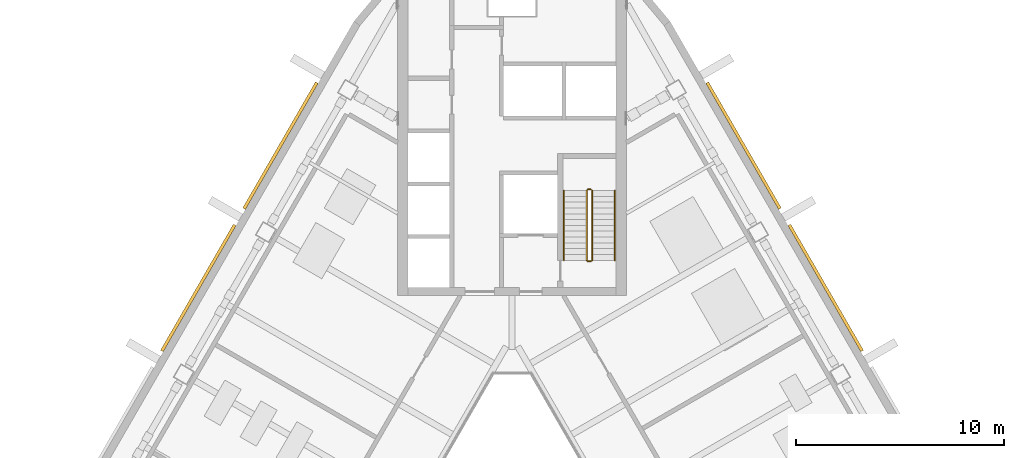
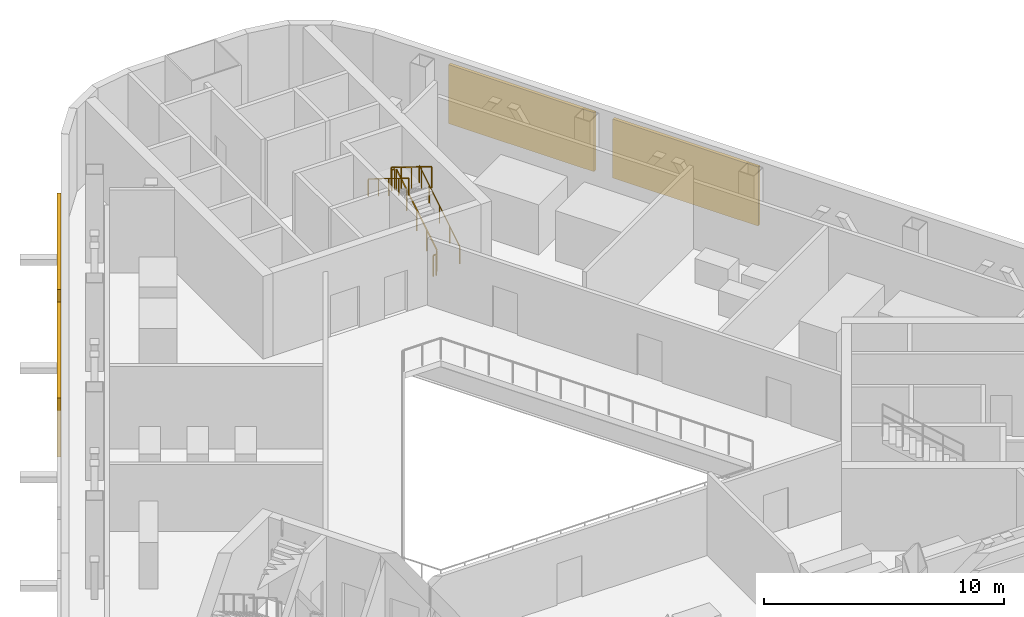
# One storey, part 14 of 15: 6 railings, 4 shading devices.
"""IFC4 building model written with IfcOpenShell, lengths in metres."""

from ifc_helpers import new_model, si_unit, direction, frame, origin, origin_2d, place, context, subcontext, project, spatial, rectangle, circle, extrude, material, type_object, element, save


model = new_model("IFC4")

# Units and contexts
model_context = context("Model", 3, precision=1e-05, world=origin(), true_north=direction((0.0, 1.0)))
body_context = subcontext(model_context, "Body", "Model", "MODEL_VIEW")
ifc_project = project(units=[si_unit("LENGTHUNIT", "METRE"), si_unit("AREAUNIT", "SQUARE_METRE"), si_unit("VOLUMEUNIT", "CUBIC_METRE"), si_unit("PLANEANGLEUNIT", "RADIAN"), si_unit("MASSUNIT", "GRAM", prefix="KILO")], contexts=[model_context])

# Site, building, storey
site_placement = place(None, origin())
site = spatial("IfcSite", under=ifc_project, at=site_placement, CompositionType="ELEMENT")
building_placement = place(site_placement, origin())
building = spatial("IfcBuilding", under=site, at=building_placement, Name="Apuvela Tower Hotel", CompositionType="ELEMENT")
storey_placement = place(building_placement, frame((0.0, 0.0, 237.699951171875)))
storey = spatial("IfcBuildingStorey", under=building, at=storey_placement, Name="L58 Plant", CompositionType="ELEMENT", Elevation=237.699951171875)

# Railings
ifc_material_1 = material(Name="Steel S275 balustrade", Category="steel")
railing_type_1 = type_object("IfcRailingType", Name="COR-GUARD-1100", PredefinedType="GUARDRAIL", material=ifc_material_1)
railing_1_placement = place(storey_placement, frame((3.85009765625, 14.60009765625, 0.173095703125)))
element("IfcRailing", 1, at=railing_1_placement, inside=storey, type_object=railing_type_1, Name="L58 Plant ST1 stair guard 1", PredefinedType="GUARDRAIL", context=body_context, shape_type="SweptSolid", body=[
    extrude(rectangle(XDim=0.048095703125, YDim=0.048095703125, at=origin_2d()), frame((0.0, 0.0, 1.076171875), z_axis=(0.0, 0.850606129759, 0.525803396734), x_axis=(-1.0, 0.0, 0.0)), (0.0, 0.0, 1.0), 3.949951171875),
    extrude(rectangle(XDim=0.0419921875, YDim=0.0419921875, at=origin_2d()), origin(), (0.0, 0.0, 1.0), 1.052001953125),
    extrude(rectangle(XDim=0.0419921875, YDim=0.0419921875, at=origin_2d()), frame((0.0, 0.83984375, 0.519287109375)), (0.0, 0.0, 1.0), 1.052001953125),
    extrude(rectangle(XDim=0.0419921875, YDim=0.0419921875, at=origin_2d()), frame((0.0, 1.679931640625, 1.03857421875)), (0.0, 0.0, 1.0), 1.052001953125),
    extrude(rectangle(XDim=0.0419921875, YDim=0.0419921875, at=origin_2d()), frame((0.0, 2.52001953125, 1.5576171875)), (0.0, 0.0, 1.0), 1.052001953125),
    extrude(rectangle(XDim=0.0419921875, YDim=0.0419921875, at=origin_2d()), frame((0.0, 3.35986328125, 2.076904296875)), (0.0, 0.0, 1.0), 1.052001953125),
])
railing_2_placement = place(storey_placement, frame((3.800048828125, 18.010009765625, 2.25)))
element("IfcRailing", 2, at=railing_2_placement, inside=storey, type_object=railing_type_1, Name="L58 Plant ST1 stair guard 2", PredefinedType="GUARDRAIL", context=body_context, shape_type="SweptSolid", body=[
    extrude(rectangle(XDim=0.048095703125, YDim=0.048095703125, at=origin_2d()), frame((0.0, 0.0, 1.076171875), z_axis=(-1.0, 0.0, 0.0), x_axis=(0.0, -1.0, 0.0)), (0.0, 0.0, 1.0), 0.150146484375),
    extrude(rectangle(XDim=0.0419921875, YDim=0.0419921875, at=origin_2d()), origin(), (0.0, 0.0, 1.0), 1.052001953125),
    extrude(rectangle(XDim=0.0419921875, YDim=0.0419921875, at=origin_2d()), frame((-0.150146484375, 0.0, 0.0)), (0.0, 0.0, 1.0), 1.052001953125),
])
railing_3_placement = place(storey_placement, frame((3.60009765625, 17.9599609375, 2.423095703125)))
element("IfcRailing", 3, at=railing_3_placement, inside=storey, type_object=railing_type_1, Name="L58 Plant ST1 stair guard 3", PredefinedType="GUARDRAIL", context=body_context, shape_type="SweptSolid", body=[
    extrude(rectangle(XDim=0.048095703125, YDim=0.048095703125, at=origin_2d()), frame((0.0, 0.0, 1.076171875), z_axis=(0.0, -0.850606129759, 0.525803396734), x_axis=(1.0, 0.0, 0.0)), (0.0, 0.0, 1.0), 3.949951171875),
    extrude(rectangle(XDim=0.0419921875, YDim=0.0419921875, at=origin_2d()), origin(), (0.0, 0.0, 1.0), 1.052001953125),
    extrude(rectangle(XDim=0.0419921875, YDim=0.0419921875, at=origin_2d()), frame((0.0, -0.83984375, 0.519287109375)), (0.0, 0.0, 1.0), 1.052001953125),
    extrude(rectangle(XDim=0.0419921875, YDim=0.0419921875, at=origin_2d()), frame((0.0, -1.679931640625, 1.03857421875)), (0.0, 0.0, 1.0), 1.052001953125),
    extrude(rectangle(XDim=0.0419921875, YDim=0.0419921875, at=origin_2d()), frame((0.0, -2.52001953125, 1.5576171875)), (0.0, 0.0, 1.0), 1.052001953125),
    extrude(rectangle(XDim=0.0419921875, YDim=0.0419921875, at=origin_2d()), frame((0.0, -3.35986328125, 2.076904296875)), (0.0, 0.0, 1.0), 1.052001953125),
])
railing_4_placement = place(storey_placement, frame((3.800048828125, 14.550048828125, 0.0)))
element("IfcRailing", 4, at=railing_4_placement, inside=storey, type_object=railing_type_1, Name="L58 Plant ST1 stair guard 4", PredefinedType="GUARDRAIL", context=body_context, shape_type="SweptSolid", body=[
    extrude(rectangle(XDim=0.048095703125, YDim=0.048095703125, at=origin_2d()), frame((0.0, 0.0, 1.076171875), z_axis=(-1.0, 0.0, 0.0), x_axis=(0.0, -1.0, 0.0)), (0.0, 0.0, 1.0), 0.150146484375),
    extrude(rectangle(XDim=0.0419921875, YDim=0.0419921875, at=origin_2d()), origin(), (0.0, 0.0, 1.0), 1.052001953125),
    extrude(rectangle(XDim=0.0419921875, YDim=0.0419921875, at=origin_2d()), frame((-0.150146484375, 0.0, 0.0)), (0.0, 0.0, 1.0), 1.052001953125),
])
ifc_material_2 = material(Name="Stainless steel 316 handrail", Category="steel")
railing_type_2 = type_object("IfcRailingType", Name="COR-HANDRAIL-900", PredefinedType="HANDRAIL", material=ifc_material_2)
railing_5_placement = place(storey_placement, frame((4.949951171875, 14.60009765625, 0.173095703125)))
element("IfcRailing", 5, at=railing_5_placement, inside=storey, type_object=railing_type_2, Name="L58 Plant ST1 stair handrail 1", PredefinedType="HANDRAIL", context=body_context, shape_type="SweptSolid", body=[
    extrude(circle(Radius=0.02392578125, at=origin_2d()), frame((0.0, 0.0, 0.8759765625), z_axis=(0.0, 0.850606129759, 0.525803396734), x_axis=(-1.0, 0.0, 0.0)), (0.0, 0.0, 1.0), 3.949951171875),
    extrude(rectangle(XDim=0.0419921875, YDim=0.0419921875, at=origin_2d()), origin(), (0.0, 0.0, 1.0), 0.851806640625),
    extrude(rectangle(XDim=0.0419921875, YDim=0.0419921875, at=origin_2d()), frame((0.0, 0.83984375, 0.519287109375)), (0.0, 0.0, 1.0), 0.851806640625),
    extrude(rectangle(XDim=0.0419921875, YDim=0.0419921875, at=origin_2d()), frame((0.0, 1.679931640625, 1.03857421875)), (0.0, 0.0, 1.0), 0.851806640625),
    extrude(rectangle(XDim=0.0419921875, YDim=0.0419921875, at=origin_2d()), frame((0.0, 2.52001953125, 1.5576171875)), (0.0, 0.0, 1.0), 0.851806640625),
    extrude(rectangle(XDim=0.0419921875, YDim=0.0419921875, at=origin_2d()), frame((0.0, 3.35986328125, 2.076904296875)), (0.0, 0.0, 1.0), 0.851806640625),
])
railing_6_placement = place(storey_placement, frame((2.5, 17.9599609375, 2.423095703125)))
element("IfcRailing", 6, at=railing_6_placement, inside=storey, type_object=railing_type_2, Name="L58 Plant ST1 stair handrail 2", PredefinedType="HANDRAIL", context=body_context, shape_type="SweptSolid", body=[
    extrude(circle(Radius=0.02392578125, at=origin_2d()), frame((0.0, 0.0, 0.8759765625), z_axis=(0.0, -0.850606129759, 0.525803396734), x_axis=(1.0, 0.0, 0.0)), (0.0, 0.0, 1.0), 3.949951171875),
    extrude(rectangle(XDim=0.0419921875, YDim=0.0419921875, at=origin_2d()), origin(), (0.0, 0.0, 1.0), 0.851806640625),
    extrude(rectangle(XDim=0.0419921875, YDim=0.0419921875, at=origin_2d()), frame((0.0, -0.83984375, 0.519287109375)), (0.0, 0.0, 1.0), 0.851806640625),
    extrude(rectangle(XDim=0.0419921875, YDim=0.0419921875, at=origin_2d()), frame((0.0, -1.679931640625, 1.03857421875)), (0.0, 0.0, 1.0), 0.851806640625),
    extrude(rectangle(XDim=0.0419921875, YDim=0.0419921875, at=origin_2d()), frame((0.0, -2.52001953125, 1.5576171875)), (0.0, 0.0, 1.0), 0.851806640625),
    extrude(rectangle(XDim=0.0419921875, YDim=0.0419921875, at=origin_2d()), frame((0.0, -3.35986328125, 2.076904296875)), (0.0, 0.0, 1.0), 0.851806640625),
])

# Shading devices
ifc_material_3 = material(Name="Aluminium 6063-T6, black anodised louvre blades", Category="aluminium")
shading_device_type = type_object("IfcShadingDeviceType", Name="ENV-LOUVRE-SCREEN", PredefinedType="USERDEFINED", material=ifc_material_3)
for number, where, z_axis, x_axis, name in (
    (7, (15.090087890625, 13.273193359375, 0.60009765625), (0.0, 0.0, 1.0), (-0.5, 0.866025403784, 0.0), "Plant louvre NE7"),
    (8, (11.14013671875, 20.114990234375, 0.60009765625), (0.0, 0.0, 1.0), (-0.5, 0.866025403784, 0.0), "Plant louvre NE8"),
    (9, (-11.139892578125, 20.114990234375, 0.60009765625), (0.0, 0.0, 1.0), (-0.5, -0.866025403784, 0.0), "Plant louvre NW9"),
    (10, (-15.090087890625, 13.273193359375, 0.60009765625), (0.0, 0.0, 1.0), (-0.5, -0.866025403784, 0.0), "Plant louvre NW10"),
):
    element("IfcShadingDevice", number, at=place(storey_placement, frame(where, z_axis=z_axis, x_axis=x_axis)), inside=storey, type_object=shading_device_type, Name=name, ObjectType="LOUVRE", PredefinedType="USERDEFINED", context=body_context, shape_type="SweptSolid", body=[
        extrude(rectangle(XDim=7.0, YDim=0.14990234375, at=origin_2d()), origin(), (0.0, 0.0, 1.0), 3.0),
    ])

save(model, "model.ifc")
